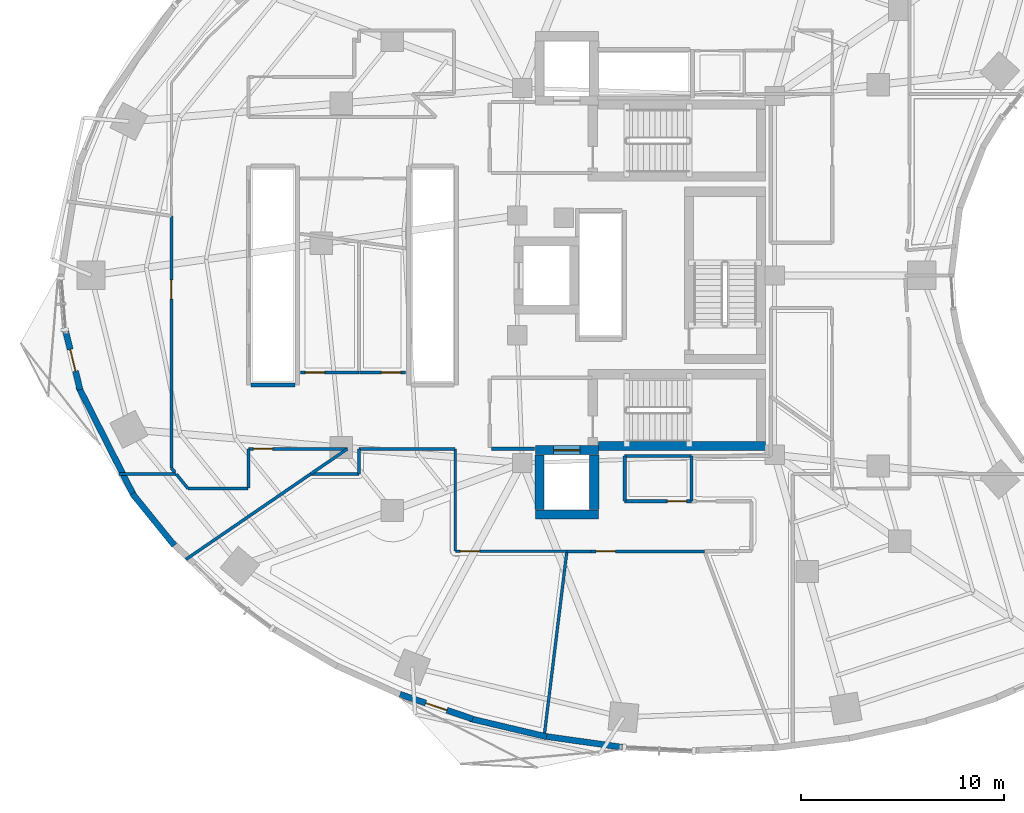
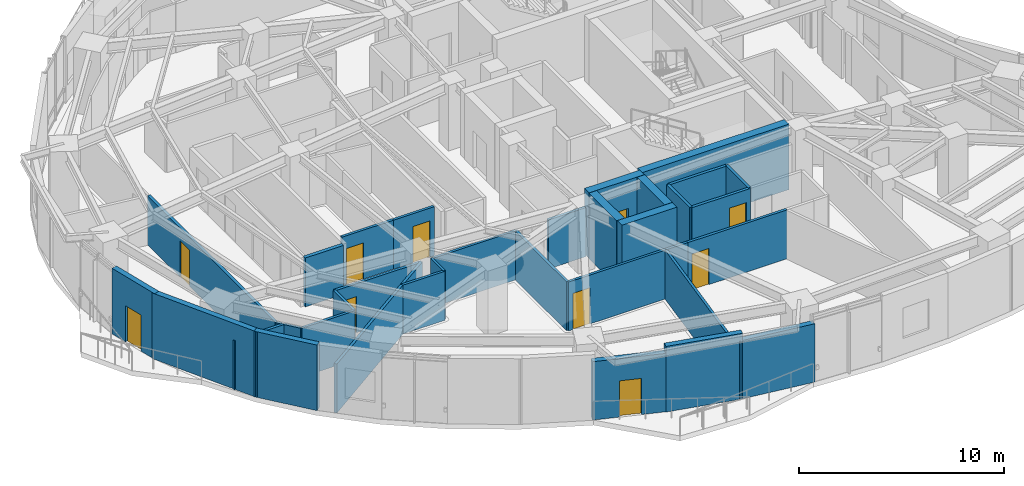
# One storey, part 8 of 16: 36 walls, 10 doors, 10 openings.
"""IFC4 building model written with IfcOpenShell, lengths in metres."""

from ifc_helpers import new_model, si_unit, direction, frame, frame_2d, origin, place, context, subcontext, project, spatial, rectangle, extrude, material, layer, layer_set, type_object, element, fill, save


model = new_model("IFC4")

# Units and contexts
model_context = context("Model", 3, precision=1e-05, world=origin(), true_north=direction((0.0, 1.0)))
body_context = subcontext(model_context, "Body", "Model", "MODEL_VIEW")
ifc_project = project(units=[si_unit("LENGTHUNIT", "METRE"), si_unit("AREAUNIT", "SQUARE_METRE"), si_unit("VOLUMEUNIT", "CUBIC_METRE"), si_unit("PLANEANGLEUNIT", "RADIAN"), si_unit("MASSUNIT", "GRAM", prefix="KILO")], contexts=[model_context])

# Site, building, storey
site_placement = place(None, origin())
site = spatial("IfcSite", under=ifc_project, at=site_placement, CompositionType="ELEMENT")
building_placement = place(site_placement, origin())
building = spatial("IfcBuilding", under=site, at=building_placement, Name="Korentha Bioscience Tower", CompositionType="ELEMENT")
storey_placement = place(building_placement, frame((0.0, 0.0, 55.199951171875)))
storey = spatial("IfcBuildingStorey", under=building, at=storey_placement, Name="L12", CompositionType="ELEMENT", Elevation=55.199951171875)

# Wall, opening, door
ifc_material_1 = material(Name="Double-Stud Acoustic Gypsum", Category="gypsum")
ifc_layer_1 = layer(ifc_material_1, 0.14990234375, Name="Double-Stud Acoustic Gypsum")
ifc_layer_set_1 = layer_set([ifc_layer_1], Name="Double-Stud Acoustic Gypsum (IW-L150)")
wall_type_1 = type_object("IfcWallType", Name="Acoustic Laboratory Partition Wall 150", PredefinedType="PARTITIONING", material=ifc_layer_set_1)
wall_1_placement = place(storey_placement, frame((17.048095703125, 22.2099609375, 0.0), z_axis=(0.0, 0.0, 1.0), x_axis=(-1.0, 0.0, 0.0)))
wall_1 = element("IfcWall", 1, at=wall_1_placement, inside=storey, type_object=wall_type_1, Name="L12 Staff Pantry Kitchenette 01 Entrance Wall", PredefinedType="PARTITIONING", context=body_context, shape_type="SweptSolid", body=[
    extrude(rectangle(XDim=2.88818359375, YDim=0.14990234375, at=frame_2d((1.444091796875, 0.0))), origin(), (0.0, 0.0, 1.0), 2.91015625),
])
opening_1_placement = place(wall_1_placement, frame((1.697998046875, 0.0, 0.0)))
opening_1 = element("IfcOpeningElement", 2, at=opening_1_placement, cuts=wall_1, Name="Opening ID-10L", PredefinedType="OPENING", context=body_context, shape_type="SweptSolid", body=[
    extrude(rectangle(XDim=0.949951171875, YDim=2.14990234375, at=frame_2d((0.47509765625, 1.074951171875))), frame((0.0, 0.08984375, 0.0), z_axis=(0.0, -1.0, 0.0), x_axis=(1.0, 0.0, 0.0)), (0.0, 0.0, 1.0), 0.1796875),
])
ifc_material_2 = material(Name="Phenolic Laminate Timber Core", Category="wood")
door_type_1 = type_object("IfcDoorType", Name="Laboratory Single Leaf Door 950x2150 Left", OperationType="SINGLE_SWING_LEFT", PredefinedType="DOOR", material=ifc_material_2)
door_1_placement = place(opening_1_placement, origin())
door_1 = element("IfcDoor", 3, at=door_1_placement, inside=storey, type_object=door_type_1, Name="L12 Staff Pantry Kitchenette 01 Door", OperationType="SINGLE_SWING_LEFT", OverallHeight=2.14990234375, OverallWidth=0.949951171875, PredefinedType="DOOR", context=body_context, shape_type="SweptSolid", body=[
    extrude(rectangle(XDim=0.949951171875, YDim=2.14990234375, at=frame_2d((0.47509765625, 1.074951171875))), frame((0.0, 0.02490234375, 0.0), z_axis=(0.0, -1.0, 0.0), x_axis=(1.0, 0.0, 0.0)), (0.0, 0.0, 1.0), 0.050048828125),
])
fill(opening_1, door_1)

wall_2_placement = place(storey_placement, frame((19.340087890625, 22.2099609375, 0.0), z_axis=(0.0, 0.0, 1.0), x_axis=(-1.0, 0.0, 0.0)))
wall_2 = element("IfcWall", 4, at=wall_2_placement, inside=storey, type_object=wall_type_1, Name="L12 Biomechanical Motion Analysis Lab 03 Entrance Wall", PredefinedType="PARTITIONING", context=body_context, shape_type="SweptSolid", body=[
    extrude(rectangle(XDim=2.281982421875, YDim=0.14990234375, at=frame_2d((1.14111328125, 0.0))), origin(), (0.0, 0.0, 1.0), 2.91015625),
])
opening_2_placement = place(wall_2_placement, frame((0.239990234375, 0.0, 0.0)))
opening_2 = element("IfcOpeningElement", 5, at=opening_2_placement, cuts=wall_2, Name="Opening ID-10L", PredefinedType="OPENING", context=body_context, shape_type="SweptSolid", body=[
    extrude(rectangle(XDim=0.949951171875, YDim=2.14990234375, at=frame_2d((0.47509765625, 1.074951171875))), frame((0.0, 0.08984375, 0.0), z_axis=(0.0, -1.0, 0.0), x_axis=(1.0, 0.0, 0.0)), (0.0, 0.0, 1.0), 0.1796875),
])
door_2_placement = place(opening_2_placement, origin())
door_2 = element("IfcDoor", 6, at=door_2_placement, inside=storey, type_object=door_type_1, Name="L12 Biomechanical Motion Analysis Lab 03 Door", OperationType="SINGLE_SWING_LEFT", OverallHeight=2.14990234375, OverallWidth=0.949951171875, PredefinedType="DOOR", context=body_context, shape_type="SweptSolid", body=[
    extrude(rectangle(XDim=0.949951171875, YDim=2.14990234375, at=frame_2d((0.47509765625, 1.074951171875))), frame((0.0, 0.02490234375, 0.0), z_axis=(0.0, -1.0, 0.0), x_axis=(1.0, 0.0, 0.0)), (0.0, 0.0, 1.0), 0.050048828125),
])
fill(opening_2, door_2)

wall_3_placement = place(storey_placement, frame((11.590087890625, 18.43994140625, 0.0), z_axis=(0.0, 0.0, 1.0), x_axis=(1.0, 0.0, 0.0)))
wall_3 = element("IfcWall", 7, at=wall_3_placement, inside=storey, type_object=wall_type_1, Name="L12 Principal Investigator Office 04 Entrance Wall", PredefinedType="PARTITIONING", context=body_context, shape_type="SweptSolid", body=[
    extrude(rectangle(XDim=4.87841796875, YDim=0.14990234375, at=frame_2d((2.439208984375, 0.0))), origin(), (0.0, 0.0, 1.0), 2.91015625),
])
opening_3_placement = place(wall_3_placement, frame((0.239990234375, 0.0, 0.0)))
opening_3 = element("IfcOpeningElement", 8, at=opening_3_placement, cuts=wall_3, Name="Opening ID-10R", PredefinedType="OPENING", context=body_context, shape_type="SweptSolid", body=[
    extrude(rectangle(XDim=0.949951171875, YDim=2.14990234375, at=frame_2d((0.47509765625, 1.074951171875))), frame((0.0, 0.08984375, 0.0), z_axis=(0.0, -1.0, 0.0), x_axis=(1.0, 0.0, 0.0)), (0.0, 0.0, 1.0), 0.1796875),
])
door_type_2 = type_object("IfcDoorType", Name="Laboratory Single Leaf Door 950x2150 Right", OperationType="SINGLE_SWING_RIGHT", PredefinedType="DOOR", material=ifc_material_2)
door_3_placement = place(opening_3_placement, origin())
door_3 = element("IfcDoor", 9, at=door_3_placement, inside=storey, type_object=door_type_2, Name="L12 Principal Investigator Office 04 Door", OperationType="SINGLE_SWING_RIGHT", OverallHeight=2.14990234375, OverallWidth=0.949951171875, PredefinedType="DOOR", context=body_context, shape_type="SweptSolid", body=[
    extrude(rectangle(XDim=0.949951171875, YDim=2.14990234375, at=frame_2d((0.47509765625, 1.074951171875))), frame((0.0, 0.02490234375, 0.0), z_axis=(0.0, -1.0, 0.0), x_axis=(1.0, 0.0, 0.0)), (0.0, 0.0, 1.0), 0.050048828125),
])
fill(opening_3, door_3)

wall_4_placement = place(storey_placement, frame((28.5, 13.389892578125, 0.0), z_axis=(0.0, 0.0, 1.0), x_axis=(1.0, 0.0, 0.0)))
wall_4 = element("IfcWall", 10, at=wall_4_placement, inside=storey, type_object=wall_type_1, Name="L12 Peptide Synthesis Wet Lab 06 Entrance Wall", PredefinedType="PARTITIONING", context=body_context, shape_type="SweptSolid", body=[
    extrude(rectangle(XDim=5.587158203125, YDim=0.14990234375, at=frame_2d((2.79345703125, 0.0))), origin(), (0.0, 0.0, 1.0), 2.91015625),
])
opening_4_placement = place(wall_4_placement, frame((0.239990234375, 0.0, 0.0)))
opening_4 = element("IfcOpeningElement", 11, at=opening_4_placement, cuts=wall_4, Name="Opening ID-10R", PredefinedType="OPENING", context=body_context, shape_type="SweptSolid", body=[
    extrude(rectangle(XDim=0.949951171875, YDim=2.14990234375, at=frame_2d((0.47509765625, 1.074951171875))), frame((0.0, 0.08984375, 0.0), z_axis=(0.0, -1.0, 0.0), x_axis=(1.0, 0.0, 0.0)), (0.0, 0.0, 1.0), 0.1796875),
])
door_4_placement = place(opening_4_placement, origin())
door_4 = element("IfcDoor", 12, at=door_4_placement, inside=storey, type_object=door_type_2, Name="L12 Peptide Synthesis Wet Lab 06 Door", OperationType="SINGLE_SWING_RIGHT", OverallHeight=2.14990234375, OverallWidth=0.949951171875, PredefinedType="DOOR", context=body_context, shape_type="SweptSolid", body=[
    extrude(rectangle(XDim=0.949951171875, YDim=2.14990234375, at=frame_2d((0.47509765625, 1.074951171875))), frame((0.0, 0.02490234375, 0.0), z_axis=(0.0, -1.0, 0.0), x_axis=(1.0, 0.0, 0.0)), (0.0, 0.0, 1.0), 0.050048828125),
])
fill(opening_4, door_4)

# Walls
wall_5_placement = place(storey_placement, frame((14.654541015625, 17.197998046875, 0.0), z_axis=(0.0, 0.0, 1.0), x_axis=(-0.825109471376, -0.564972884523, 0.0)))
element("IfcWall", 13, at=wall_5_placement, inside=storey, type_object=wall_type_1, Name="L12 Interior Partition 035", PredefinedType="PARTITIONING", context=body_context, shape_type="SweptSolid", body=[
    extrude(rectangle(XDim=7.449951171875, YDim=0.14990234375, at=frame_2d((3.72509765625, 0.0))), origin(), (0.0, 0.0, 1.0), 2.91015625),
])
wall_6_placement = place(storey_placement, frame((8.03369140625, 17.194091796875, 0.0), z_axis=(0.0, 0.0, 1.0), x_axis=(0.629276152603, -0.77718178296, 0.0)))
element("IfcWall", 14, at=wall_6_placement, inside=storey, type_object=wall_type_1, Name="L12 Interior Partition 036", PredefinedType="PARTITIONING", context=body_context, shape_type="SweptSolid", body=[
    extrude(rectangle(XDim=0.9013671875, YDim=0.14990234375, at=frame_2d((0.45068359375, 0.0))), origin(), (0.0, 0.0, 1.0), 2.91015625),
])
wall_7_placement = place(storey_placement, frame((8.608642578125, 16.489990234375, 0.0), z_axis=(0.0, 0.0, 1.0), x_axis=(1.0, 0.0, 0.0)))
element("IfcWall", 15, at=wall_7_placement, inside=storey, type_object=wall_type_1, Name="L12 Interior Partition 037", PredefinedType="PARTITIONING", context=body_context, shape_type="SweptSolid", body=[
    extrude(rectangle(XDim=2.971435546875, YDim=0.14990234375, at=frame_2d((1.48583984375, 0.0))), origin(), (0.0, 0.0, 1.0), 2.91015625),
])
wall_8_placement = place(storey_placement, frame((11.590087890625, 16.5, 0.0), z_axis=(0.0, 0.0, 1.0), x_axis=(0.0, 1.0, 0.0)))
element("IfcWall", 16, at=wall_8_placement, inside=storey, type_object=wall_type_1, Name="L12 Interior Partition 038", PredefinedType="PARTITIONING", context=body_context, shape_type="SweptSolid", body=[
    extrude(rectangle(XDim=1.93994140625, YDim=0.14990234375, at=frame_2d((0.969970703125, 0.0))), origin(), (0.0, 0.0, 1.0), 2.91015625),
])
wall_9_placement = place(storey_placement, frame((16.468505859375, 18.43994140625, 0.0), z_axis=(0.0, 0.0, 1.0), x_axis=(-0.82516512402, -0.564891598539, 0.0)))
element("IfcWall", 17, at=wall_9_placement, inside=storey, type_object=wall_type_1, Name="L12 Interior Partition 039", PredefinedType="PARTITIONING", context=body_context, shape_type="SweptSolid", body=[
    extrude(rectangle(XDim=2.191162109375, YDim=0.14990234375, at=frame_2d((1.095703125, 0.0))), origin(), (0.0, 0.0, 1.0), 2.91015625),
])
wall_10_placement = place(storey_placement, frame((27.310546875, 13.389892578125, 0.0), z_axis=(0.0, 0.0, 1.0), x_axis=(1.0, 0.0, 0.0)))
element("IfcWall", 18, at=wall_10_placement, inside=storey, type_object=wall_type_1, Name="L12 Interior Partition 045", PredefinedType="PARTITIONING", context=body_context, shape_type="SweptSolid", body=[
    extrude(rectangle(XDim=1.189453125, YDim=0.14990234375, at=frame_2d((0.5947265625, 0.0))), origin(), (0.0, 0.0, 1.0), 2.91015625),
])

# Wall, opening, door
ifc_material_3 = material(Name="Insulated Aluminium Honeycomb Panel", Category="aluminium")
ifc_layer_2 = layer(ifc_material_3, 0.139892578125, Name="Insulated Aluminium Honeycomb Panel")
ifc_layer_set_2 = layer_set([ifc_layer_2], Name="Insulated Aluminium Honeycomb Panel (IW-F60)")
wall_type_2 = type_object("IfcWallType", Name="Cleanroom Flush Metal Panel Partition 140", PredefinedType="PARTITIONING", material=ifc_layer_set_2)
wall_11_placement = place(storey_placement, frame((21.800048828125, 13.389892578125, 0.0), z_axis=(0.0, 0.0, 1.0), x_axis=(1.0, 0.0, 0.0)))
wall_11 = element("IfcWall", 19, at=wall_11_placement, inside=storey, type_object=wall_type_2, Name="L12 NMR Spectroscopy Shielded Room 05 Entrance Wall", PredefinedType="PARTITIONING", context=body_context, shape_type="SweptSolid", body=[
    extrude(rectangle(XDim=5.50048828125, YDim=0.139892578125, at=frame_2d((2.750244140625, 0.0))), origin(), (0.0, 0.0, 1.0), 2.91015625),
])
opening_5_placement = place(wall_11_placement, frame((0.239990234375, 0.0, 0.0)))
opening_5 = element("IfcOpeningElement", 20, at=opening_5_placement, cuts=wall_11, Name="Opening ID-10L", PredefinedType="OPENING", context=body_context, shape_type="SweptSolid", body=[
    extrude(rectangle(XDim=0.949951171875, YDim=2.14990234375, at=frame_2d((0.47509765625, 1.074951171875))), frame((0.0, 0.0849609375, 0.0), z_axis=(0.0, -1.0, 0.0), x_axis=(1.0, 0.0, 0.0)), (0.0, 0.0, 1.0), 0.169677734375),
])
door_5_placement = place(opening_5_placement, origin())
door_5 = element("IfcDoor", 21, at=door_5_placement, inside=storey, type_object=door_type_1, Name="L12 NMR Spectroscopy Shielded Room 05 Door", OperationType="SINGLE_SWING_LEFT", OverallHeight=2.14990234375, OverallWidth=0.949951171875, PredefinedType="DOOR", context=body_context, shape_type="SweptSolid", body=[
    extrude(rectangle(XDim=0.949951171875, YDim=2.14990234375, at=frame_2d((0.47509765625, 1.074951171875))), frame((0.0, 0.02490234375, 0.0), z_axis=(0.0, -1.0, 0.0), x_axis=(1.0, 0.0, 0.0)), (0.0, 0.0, 1.0), 0.050048828125),
])
fill(opening_5, door_5)

# Walls
wall_12_placement = place(storey_placement, frame((17.052001953125, 17.2021484375, 0.0), z_axis=(0.0, 0.0, 1.0), x_axis=(0.0, 1.0, 0.0)))
element("IfcWall", 22, at=wall_12_placement, inside=storey, type_object=wall_type_2, Name="L12 Interior Partition 040", PredefinedType="PARTITIONING", context=body_context, shape_type="SweptSolid", body=[
    extrude(rectangle(XDim=1.23779296875, YDim=0.139892578125, at=frame_2d((0.618896484375, 0.0))), origin(), (0.0, 0.0, 1.0), 2.91015625),
])
wall_13_placement = place(storey_placement, frame((17.052001953125, 18.43994140625, 0.0), z_axis=(0.0, 0.0, 1.0), x_axis=(1.0, 0.0, 0.0)))
element("IfcWall", 23, at=wall_13_placement, inside=storey, type_object=wall_type_2, Name="L12 Interior Partition 041", PredefinedType="PARTITIONING", context=body_context, shape_type="SweptSolid", body=[
    extrude(rectangle(XDim=4.738037109375, YDim=0.139892578125, at=frame_2d((2.369140625, 0.0))), origin(), (0.0, 0.0, 1.0), 2.91015625),
])
wall_14_placement = place(storey_placement, frame((21.7900390625, 18.43994140625, 0.0), z_axis=(0.0, 0.0, 1.0), x_axis=(0.0, -1.0, 0.0)))
element("IfcWall", 24, at=wall_14_placement, inside=storey, type_object=wall_type_2, Name="L12 Interior Partition 042", PredefinedType="PARTITIONING", context=body_context, shape_type="SweptSolid", body=[
    extrude(rectangle(XDim=5.0400390625, YDim=0.139892578125, at=frame_2d((2.52001953125, 0.0))), origin(), (0.0, 0.0, 1.0), 2.91015625),
])
wall_15_placement = place(storey_placement, frame((27.300537109375, 13.389892578125, 0.0), z_axis=(0.0, 0.0, 1.0), x_axis=(-0.121878156066, -0.992545069543, 0.0)))
element("IfcWall", 25, at=wall_15_placement, inside=storey, type_object=wall_type_2, Name="L12 Interior Partition 043", PredefinedType="PARTITIONING", context=body_context, shape_type="SweptSolid", body=[
    extrude(rectangle(XDim=9.30859375, YDim=0.139892578125, at=frame_2d((4.654296875, 0.0))), origin(), (0.0, 0.0, 1.0), 2.91015625),
])
wall_16_placement = place(storey_placement, frame((14.67236328125, 17.197998046875, 0.0), z_axis=(0.0, 0.0, 1.0), x_axis=(1.0, 0.0, 0.0)))
element("IfcWall", 26, at=wall_16_placement, inside=storey, type_object=wall_type_2, Name="L12 Interior Partition 044", PredefinedType="PARTITIONING", context=body_context, shape_type="SweptSolid", body=[
    extrude(rectangle(XDim=2.375732421875, YDim=0.139892578125, at=frame_2d((1.18798828125, 0.0))), origin(), (0.0, 0.0, 1.0), 2.91015625),
])
ifc_material_4 = material(Name="Gypsum-Clad Steel Stud", Category="steel")
ifc_layer_3 = layer(ifc_material_4, 0.159912109375, Name="Gypsum-Clad Steel Stud")
ifc_layer_set_3 = layer_set([ifc_layer_3], Name="Gypsum-Clad Steel Stud (IW-C160)")
wall_type_3 = type_object("IfcWallType", Name="Fire-Rated Corridor Partition Wall 160", PredefinedType="PARTITIONING", material=ifc_layer_set_3)
wall_17_placement = place(storey_placement, frame((23.580078125, 18.449951171875, 0.0), z_axis=(0.0, 0.0, 1.0), x_axis=(1.0, 0.0, 0.0)))
element("IfcWall", 27, at=wall_17_placement, inside=storey, type_object=wall_type_3, Name="L12 Firefighting Lobby Return Wall FFLS-S", PredefinedType="PARTITIONING", context=body_context, shape_type="SweptSolid", body=[
    extrude(rectangle(XDim=2.119873046875, YDim=0.159912109375, at=frame_2d((1.06005859375, 0.0))), origin(), (0.0, 0.0, 1.0), 2.91015625),
])

# Wall, opening, door
wall_18_placement = place(storey_placement, frame((33.449951171875, 15.860107421875, 0.0), z_axis=(0.0, 0.0, 1.0), x_axis=(-1.0, 0.0, 0.0)))
wall_18 = element("IfcWall", 28, at=wall_18_placement, inside=storey, type_object=wall_type_3, Name="L12 Core Instrumentation and Gas Store Entrance Wall", PredefinedType="PARTITIONING", context=body_context, shape_type="SweptSolid", body=[
    extrude(rectangle(XDim=3.300048828125, YDim=0.159912109375, at=frame_2d((1.64990234375, 0.0))), origin(), (0.0, 0.0, 1.0), 2.91015625),
])
opening_6_placement = place(wall_18_placement, frame((0.239990234375, 0.0, 0.0)))
opening_6 = element("IfcOpeningElement", 29, at=opening_6_placement, cuts=wall_18, Name="Opening ID-10L", PredefinedType="OPENING", context=body_context, shape_type="SweptSolid", body=[
    extrude(rectangle(XDim=0.949951171875, YDim=2.14990234375, at=frame_2d((0.47509765625, 1.074951171875))), frame((0.0, 0.0947265625, 0.0), z_axis=(0.0, -1.0, 0.0), x_axis=(1.0, 0.0, 0.0)), (0.0, 0.0, 1.0), 0.189697265625),
])
door_6_placement = place(opening_6_placement, origin())
door_6 = element("IfcDoor", 30, at=door_6_placement, inside=storey, type_object=door_type_1, Name="L12 Core Instrumentation and Gas Store Door", OperationType="SINGLE_SWING_LEFT", OverallHeight=2.14990234375, OverallWidth=0.949951171875, PredefinedType="DOOR", context=body_context, shape_type="SweptSolid", body=[
    extrude(rectangle(XDim=0.949951171875, YDim=2.14990234375, at=frame_2d((0.47509765625, 1.074951171875))), frame((0.0, 0.02490234375, 0.0), z_axis=(0.0, -1.0, 0.0), x_axis=(1.0, 0.0, 0.0)), (0.0, 0.0, 1.0), 0.050048828125),
])
fill(opening_6, door_6)

wall_19_placement = place(storey_placement, frame((7.7900390625, 29.9375, 0.0), z_axis=(0.0, 0.0, 1.0), x_axis=(0.0, -1.0, 0.0)))
wall_19 = element("IfcWall", 31, at=wall_19_placement, inside=storey, type_object=wall_type_3, Name="L12 Biospecimen Archive Store 02 Entrance Wall", PredefinedType="PARTITIONING", context=body_context, shape_type="SweptSolid", body=[
    extrude(rectangle(XDim=12.438720703125, YDim=0.159912109375, at=frame_2d((6.21923828125, 0.0))), origin(), (0.0, 0.0, 1.0), 2.91015625),
])
opening_7_placement = place(wall_19_placement, frame((3.159423828125, 0.0, 0.0)))
opening_7 = element("IfcOpeningElement", 32, at=opening_7_placement, cuts=wall_19, Name="Opening ID-10R", PredefinedType="OPENING", context=body_context, shape_type="SweptSolid", body=[
    extrude(rectangle(XDim=0.949951171875, YDim=2.14990234375, at=frame_2d((0.47509765625, 1.074951171875))), frame((0.0, 0.0947265625, 0.0), z_axis=(0.0, -1.0, 0.0), x_axis=(1.0, 0.0, 0.0)), (0.0, 0.0, 1.0), 0.189697265625),
])
door_7_placement = place(opening_7_placement, origin())
door_7 = element("IfcDoor", 33, at=door_7_placement, inside=storey, type_object=door_type_2, Name="L12 Biospecimen Archive Store 02 Door", OperationType="SINGLE_SWING_RIGHT", OverallHeight=2.14990234375, OverallWidth=0.949951171875, PredefinedType="DOOR", context=body_context, shape_type="SweptSolid", body=[
    extrude(rectangle(XDim=0.949951171875, YDim=2.14990234375, at=frame_2d((0.47509765625, 1.074951171875))), frame((0.0, 0.02490234375, 0.0), z_axis=(0.0, -1.0, 0.0), x_axis=(1.0, 0.0, 0.0)), (0.0, 0.0, 1.0), 0.050048828125),
])
fill(opening_7, door_7)

# Walls
wall_20_placement = place(storey_placement, frame((30.14990234375, 15.860107421875, 0.0), z_axis=(0.0, 0.0, 1.0), x_axis=(0.0, 1.0, 0.0)))
element("IfcWall", 34, at=wall_20_placement, inside=storey, type_object=wall_type_3, Name="L12 Interior Partition 023", PredefinedType="PARTITIONING", context=body_context, shape_type="SweptSolid", body=[
    extrude(rectangle(XDim=2.22998046875, YDim=0.159912109375, at=frame_2d((1.114990234375, 0.0))), origin(), (0.0, 0.0, 1.0), 2.91015625),
])
wall_21_placement = place(storey_placement, frame((30.14990234375, 18.090087890625, 0.0), z_axis=(0.0, 0.0, 1.0), x_axis=(1.0, 0.0, 0.0)))
element("IfcWall", 35, at=wall_21_placement, inside=storey, type_object=wall_type_3, Name="L12 Interior Partition 024", PredefinedType="PARTITIONING", context=body_context, shape_type="SweptSolid", body=[
    extrude(rectangle(XDim=3.300048828125, YDim=0.159912109375, at=frame_2d((1.64990234375, 0.0))), origin(), (0.0, 0.0, 1.0), 2.91015625),
])
wall_22_placement = place(storey_placement, frame((33.449951171875, 18.090087890625, 0.0), z_axis=(0.0, 0.0, 1.0), x_axis=(0.0, -1.0, 0.0)))
element("IfcWall", 36, at=wall_22_placement, inside=storey, type_object=wall_type_3, Name="L12 Interior Partition 025", PredefinedType="PARTITIONING", context=body_context, shape_type="SweptSolid", body=[
    extrude(rectangle(XDim=2.22998046875, YDim=0.159912109375, at=frame_2d((1.114990234375, 0.0))), origin(), (0.0, 0.0, 1.0), 2.91015625),
])
wall_23_placement = place(storey_placement, frame((7.792236328125, 17.492431640625, 0.0), z_axis=(0.0, 0.0, 1.0), x_axis=(0.629145614699, -0.77728746002, 0.0)))
element("IfcWall", 37, at=wall_23_placement, inside=storey, type_object=wall_type_3, Name="L12 Interior Partition 032", PredefinedType="PARTITIONING", context=body_context, shape_type="SweptSolid", body=[
    extrude(rectangle(XDim=0.26708984375, YDim=0.159912109375, at=frame_2d((0.133544921875, 0.0))), origin(), (0.0, 0.0, 1.0), 2.91015625),
])
wall_24_placement = place(storey_placement, frame((8.02734375, 17.201904296875, 0.0), z_axis=(0.0, 0.0, 1.0), x_axis=(-1.0, 0.0, 0.0)))
element("IfcWall", 38, at=wall_24_placement, inside=storey, type_object=wall_type_3, Name="L12 Interior Partition 033", PredefinedType="PARTITIONING", context=body_context, shape_type="SweptSolid", body=[
    extrude(rectangle(XDim=2.82666015625, YDim=0.159912109375, at=frame_2d((1.413330078125, 0.0))), origin(), (0.0, 0.0, 1.0), 2.91015625),
])

# Wall, opening, door
ifc_material_5 = material(Name="Honed Limestone Precast Concrete C40", Category="masonry")
ifc_layer_4 = layer(ifc_material_5, 0.300048828125, Name="Honed Limestone Precast Concrete C40")
ifc_layer_set_4 = layer_set([ifc_layer_4], Name="Honed Limestone Precast Concrete C40 (EW-ST300)")
wall_type_4 = type_object("IfcWallType", Name="Honed Limestone Cavity Spandrel Wall 300", PredefinedType="STANDARD", material=ifc_layer_set_4)
wall_25_placement = place(storey_placement, frame((2.57080078125, 24.265869140625, 0.0), z_axis=(0.0, 0.0, 1.0), x_axis=(0.238522035896, -0.971137085273, 0.0)))
wall_25 = element("IfcWall", 39, at=wall_25_placement, inside=storey, type_object=wall_type_4, Name="L12 Balcony Threshold Wall 02", PredefinedType="STANDARD", context=body_context, shape_type="SweptSolid", body=[
    extrude(rectangle(XDim=2.992919921875, YDim=0.300048828125, at=frame_2d((1.49658203125, 0.0))), origin(), (0.0, 0.0, 1.0), 3.900146484375),
])
opening_8_placement = place(wall_25_placement, frame((0.9462890625, 0.0, 0.0)))
opening_8 = element("IfcOpeningElement", 40, at=opening_8_placement, cuts=wall_25, Name="Opening BD-11R", PredefinedType="OPENING", context=body_context, shape_type="SweptSolid", body=[
    extrude(rectangle(XDim=1.10009765625, YDim=2.14990234375, at=frame_2d((0.550048828125, 1.074951171875))), frame((0.0, 0.1650390625, 0.0), z_axis=(0.0, -1.0, 0.0), x_axis=(1.0, 0.0, 0.0)), (0.0, 0.0, 1.0), 0.329833984375),
])
ifc_material_6 = material(Name="Thermally Broken Glazed Aluminium", Category="aluminium")
door_type_3 = type_object("IfcDoorType", Name="Balcony Terrace Glazed Door 1100x2150 Right", OperationType="SINGLE_SWING_RIGHT", PredefinedType="DOOR", material=ifc_material_6)
door_8_placement = place(opening_8_placement, origin())
door_8 = element("IfcDoor", 41, at=door_8_placement, inside=storey, type_object=door_type_3, Name="L12 Balcony Access Door 02", OperationType="SINGLE_SWING_RIGHT", OverallHeight=2.14990234375, OverallWidth=1.10009765625, PredefinedType="DOOR", context=body_context, shape_type="SweptSolid", body=[
    extrude(rectangle(XDim=1.10009765625, YDim=2.14990234375, at=frame_2d((0.550048828125, 1.074951171875))), frame((0.0, 0.02490234375, 0.0), z_axis=(0.0, -1.0, 0.0), x_axis=(1.0, 0.0, 0.0)), (0.0, 0.0, 1.0), 0.050048828125),
])
fill(opening_8, door_8)

wall_26_placement = place(storey_placement, frame((19.0654296875, 6.333251953125, 0.0), z_axis=(0.0, 0.0, 1.0), x_axis=(0.947034337234, -0.321132315564, 0.0)))
wall_26 = element("IfcWall", 42, at=wall_26_placement, inside=storey, type_object=wall_type_4, Name="L12 Balcony Threshold Wall 03", PredefinedType="STANDARD", context=body_context, shape_type="SweptSolid", body=[
    extrude(rectangle(XDim=3.789794921875, YDim=0.300048828125, at=frame_2d((1.89501953125, 0.0))), origin(), (0.0, 0.0, 1.0), 3.469970703125),
])
opening_9_placement = place(wall_26_placement, frame((1.344970703125, 0.0, 0.0)))
opening_9 = element("IfcOpeningElement", 43, at=opening_9_placement, cuts=wall_26, Name="Opening BD-11L", PredefinedType="OPENING", context=body_context, shape_type="SweptSolid", body=[
    extrude(rectangle(XDim=1.10009765625, YDim=2.14990234375, at=frame_2d((0.550048828125, 1.074951171875))), frame((0.0, 0.1650390625, 0.0), z_axis=(0.0, -1.0, 0.0), x_axis=(1.0, 0.0, 0.0)), (0.0, 0.0, 1.0), 0.329833984375),
])
door_type_4 = type_object("IfcDoorType", Name="Balcony Terrace Glazed Door 1100x2150 Left", OperationType="SINGLE_SWING_LEFT", PredefinedType="DOOR", material=ifc_material_6)
door_9_placement = place(opening_9_placement, origin())
door_9 = element("IfcDoor", 44, at=door_9_placement, inside=storey, type_object=door_type_4, Name="L12 Balcony Access Door 03", OperationType="SINGLE_SWING_LEFT", OverallHeight=2.14990234375, OverallWidth=1.10009765625, PredefinedType="DOOR", context=body_context, shape_type="SweptSolid", body=[
    extrude(rectangle(XDim=1.10009765625, YDim=2.14990234375, at=frame_2d((0.550048828125, 1.074951171875))), frame((0.0, 0.02490234375, 0.0), z_axis=(0.0, -1.0, 0.0), x_axis=(1.0, 0.0, 0.0)), (0.0, 0.0, 1.0), 0.050048828125),
])
fill(opening_9, door_9)

# Walls
wall_27_placement = place(storey_placement, frame((3.20361328125, 21.514404296875, 0.0), z_axis=(0.0, 0.0, 1.0), x_axis=(0.453093111502, -0.891463197395, 0.0)))
element("IfcWall", 45, at=wall_27_placement, inside=storey, type_object=wall_type_4, Name="L12 Limestone Perimeter Closure Wall 21", PredefinedType="STANDARD", context=body_context, shape_type="SweptSolid", body=[
    extrude(rectangle(XDim=6.102294921875, YDim=0.300048828125, at=frame_2d((3.05126953125, 0.0))), origin(), (0.0, 0.0, 1.0), 3.900146484375),
])
wall_28_placement = place(storey_placement, frame((5.86572265625, 16.232666015625, 0.0), z_axis=(0.0, 0.0, 1.0), x_axis=(0.629221727718, -0.777225847079, 0.0)))
element("IfcWall", 46, at=wall_28_placement, inside=storey, type_object=wall_type_4, Name="L12 Limestone Perimeter Closure Wall 23", PredefinedType="STANDARD", context=body_context, shape_type="SweptSolid", body=[
    extrude(rectangle(XDim=3.28759765625, YDim=0.300048828125, at=frame_2d((1.643798828125, 0.0))), origin(), (0.0, 0.0, 1.0), 3.900146484375),
])
wall_29_placement = place(storey_placement, frame((22.50048828125, 5.138427734375, 0.0), z_axis=(0.0, 0.0, 1.0), x_axis=(0.973197600754, -0.229970497863, 0.0)))
element("IfcWall", 47, at=wall_29_placement, inside=storey, type_object=wall_type_4, Name="L12 Limestone Perimeter Closure Wall 29", PredefinedType="STANDARD", context=body_context, shape_type="SweptSolid", body=[
    extrude(rectangle(XDim=3.9013671875, YDim=0.300048828125, at=frame_2d((1.95068359375, 0.0))), origin(), (0.0, 0.0, 1.0), 3.900146484375),
])
wall_30_placement = place(storey_placement, frame((26.127685546875, 4.273193359375, 0.0), z_axis=(0.0, 0.0, 1.0), x_axis=(0.990165832998, -0.139898617443, 0.0)))
element("IfcWall", 48, at=wall_30_placement, inside=storey, type_object=wall_type_4, Name="L12 Limestone Perimeter Closure Wall 30", PredefinedType="STANDARD", context=body_context, shape_type="SweptSolid", body=[
    extrude(rectangle(XDim=3.950927734375, YDim=0.300048828125, at=frame_2d((1.9755859375, 0.0))), origin(), (0.0, 0.0, 1.0), 3.469970703125),
])
ifc_material_7 = material(Name="Autoclaved Aerated Concrete Block C25", Category="concrete")
ifc_layer_5 = layer(ifc_material_7, 0.199951171875, Name="Autoclaved Aerated Concrete Block C25")
ifc_layer_set_5 = layer_set([ifc_layer_5], Name="Autoclaved Aerated Concrete Block C25 (IW-S200)")
wall_type_5 = type_object("IfcWallType", Name="Lift and Riser Shaft Enclosure Wall 200", PredefinedType="PARTITIONING", material=ifc_layer_set_5)
wall_31_placement = place(storey_placement, frame((11.719970703125, 21.60009765625, 0.0), z_axis=(0.0, 0.0, 1.0), x_axis=(1.0, 0.0, 0.0)))
element("IfcWall", 49, at=wall_31_placement, inside=storey, type_object=wall_type_5, Name="L12 Lift Bank LOW Shaft Wall -Y", PredefinedType="PARTITIONING", context=body_context, shape_type="SweptSolid", body=[
    extrude(rectangle(XDim=2.159912109375, YDim=0.199951171875, at=frame_2d((1.080078125, 0.0))), origin(), (0.0, 0.0, 1.0), 2.91015625),
])
ifc_material_8 = material(Name="Concrete C80", Category="concrete")
ifc_layer_6 = layer(ifc_material_8, 0.449951171875, Name="Concrete C80")
ifc_layer_set_6 = layer_set([ifc_layer_6], Name="Concrete C80 (CW-C80)")
wall_type_6 = type_object("IfcWallType", Name="Lower Core Shear Wall 450", PredefinedType="SHEAR", material=ifc_layer_set_6)
wall_32_placement = place(storey_placement, frame((28.85205078125, 18.574951171875, 0.0), z_axis=(0.0, 0.0, 1.0), x_axis=(1.0, 0.0, 0.0)))
element("IfcWall", 50, at=wall_32_placement, inside=storey, type_object=wall_type_6, Name="L12 Core Shear Wall ST2-S", PredefinedType="SHEAR", context=body_context, shape_type="SweptSolid", body=[
    extrude(rectangle(XDim=8.248046875, YDim=0.449951171875, at=frame_2d((4.1240234375, 0.0))), origin(), (0.0, 0.0, 1.0), 3.900146484375),
])
wall_33_placement = place(storey_placement, frame((25.75, 15.199951171875, 0.0), z_axis=(0.0, 0.0, 1.0), x_axis=(1.0, 0.0, 0.0)))
element("IfcWall", 51, at=wall_33_placement, inside=storey, type_object=wall_type_6, Name="L12 Core Shear Wall FFL1-S", PredefinedType="SHEAR", context=body_context, shape_type="SweptSolid", body=[
    extrude(rectangle(XDim=3.10009765625, YDim=0.449951171875, at=frame_2d((1.550048828125, 0.0))), origin(), (0.0, 0.0, 1.0), 3.900146484375),
])

# Wall, opening, door
wall_34_placement = place(storey_placement, frame((25.75, 18.3798828125, 0.0), z_axis=(0.0, 0.0, 1.0), x_axis=(1.0, 0.0, 0.0)))
wall_34 = element("IfcWall", 52, at=wall_34_placement, inside=storey, type_object=wall_type_6, Name="L12 Core Shear Wall FFL1-N", PredefinedType="SHEAR", context=body_context, shape_type="SweptSolid", body=[
    extrude(rectangle(XDim=3.10009765625, YDim=0.449951171875, at=frame_2d((1.550048828125, 0.0))), origin(), (0.0, 0.0, 1.0), 3.900146484375),
])
opening_10_placement = place(wall_34_placement, frame((0.89990234375, 0.0, 0.0)))
opening_10 = element("IfcOpeningElement", 53, at=opening_10_placement, cuts=wall_34, Name="Opening LD-13", PredefinedType="OPENING", context=body_context, shape_type="SweptSolid", body=[
    extrude(rectangle(XDim=1.300048828125, YDim=2.199951171875, at=frame_2d((0.64990234375, 1.10009765625))), frame((0.0, 0.23974609375, 0.0), z_axis=(0.0, -1.0, 0.0), x_axis=(1.0, 0.0, 0.0)), (0.0, 0.0, 1.0), 0.479736328125),
])
ifc_material_9 = material(Name="Brushed Stainless Steel 316", Category="steel")
door_type_5 = type_object("IfcDoorType", Name="Service & Firefighting Lift Landing Door 1300x2300", OperationType="DOUBLE_DOOR_SLIDING", PredefinedType="DOOR", material=ifc_material_9)
door_10_placement = place(opening_10_placement, origin())
door_10 = element("IfcDoor", 54, at=door_10_placement, inside=storey, type_object=door_type_5, Name="L12 FFL-1 Sliding Lift Landing Door", OperationType="DOUBLE_DOOR_SLIDING", OverallHeight=2.199951171875, OverallWidth=1.300048828125, PredefinedType="DOOR", context=body_context, shape_type="SweptSolid", body=[
    extrude(rectangle(XDim=1.300048828125, YDim=2.199951171875, at=frame_2d((0.64990234375, 1.10009765625))), frame((0.0, 0.02490234375, 0.0), z_axis=(0.0, -1.0, 0.0), x_axis=(1.0, 0.0, 0.0)), (0.0, 0.0, 1.0), 0.050048828125),
])
fill(opening_10, door_10)

# Walls
for number, where, z_axis, x_axis, name in (
    (55, (25.949951171875, 15.43994140625, 0.0), (0.0, 0.0, 1.0), (0.0, 1.0, 0.0), "L12 Core Shear Wall FFL1-W"),
    (56, (28.64990234375, 15.43994140625, 0.0), (0.0, 0.0, 1.0), (0.0, 1.0, 0.0), "L12 Core Shear Wall FFL1-E"),
):
    element("IfcWall", number, at=place(storey_placement, frame(where, z_axis=z_axis, x_axis=x_axis)), inside=storey, type_object=wall_type_6, Name=name, PredefinedType="SHEAR", context=body_context, shape_type="SweptSolid", body=[
        extrude(rectangle(XDim=2.699951171875, YDim=0.449951171875, at=frame_2d((1.35009765625, 0.0))), origin(), (0.0, 0.0, 1.0), 3.900146484375),
    ])

save(model, "model.ifc")
